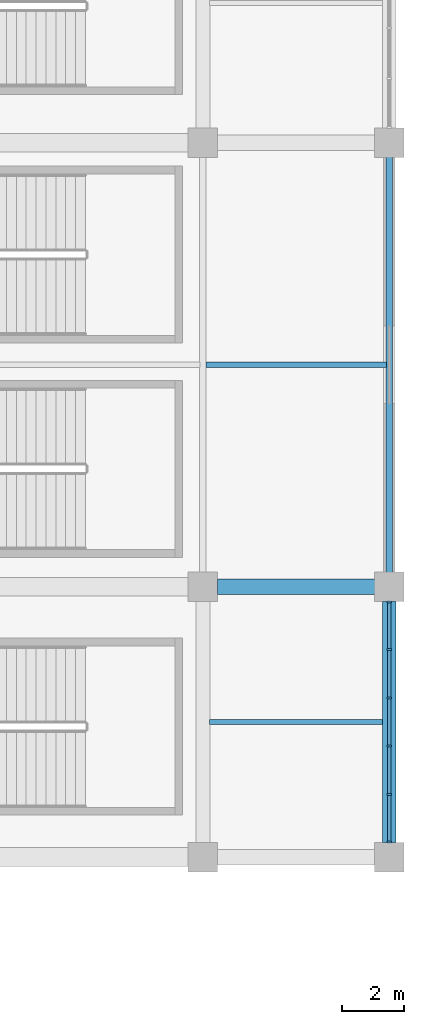
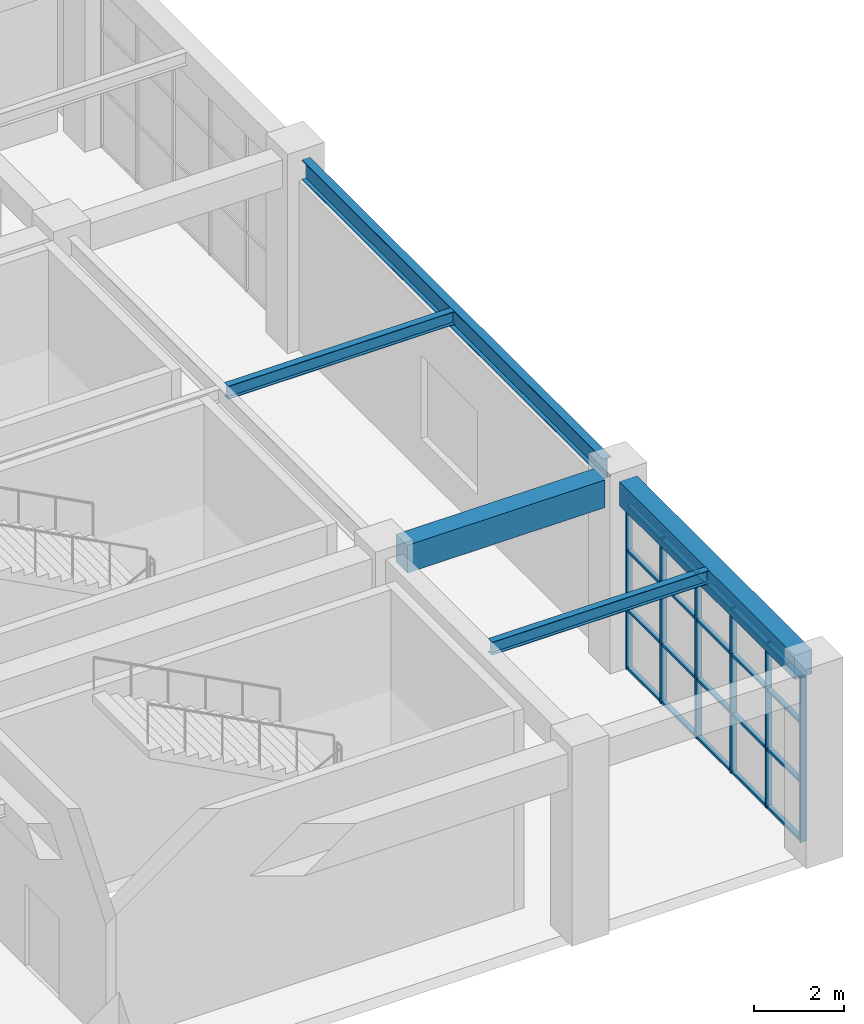
# One storey, part 47 of 120: 26 members, 5 beams, 1 element without a shape of its own.
"""IFC4 building model written with IfcOpenShell, lengths in metres."""

import ifcopenshell
import ifcopenshell.guid

model = None  # the IFC model being written
_history = None  # IfcOwnerHistory: only IFC2X3 demands one
_inside = {}  # id of a spatial element -> (the spatial element, [elements in it])
_under = {}  # id of a project, library or spatial element -> (it, [spatial elements below it])
_declared = {}  # id of a project -> (the project, [libraries it declares])
_typed = {}  # id of a type object -> (the type object, [elements of that type])
_made_of = {}  # id of a material, layer set ... -> (it, [elements and type objects made of it])


def new_model(schema):
    """Start an empty IFC model of exactly this schema.

    Asked for "IFC4X3", IfcOpenShell would pick the latest addendum, in which some entities
    have other attributes; the version numbers below select the first issue.
    IFC2X3 requires an IfcOwnerHistory on every rooted entity: one is made here for all.
    """
    global model, _history
    if schema == "IFC4X3":
        model = ifcopenshell.file(schema_version=(4, 3, 0, 0))
    else:
        model = ifcopenshell.file(schema=schema)
    _inside.clear()
    _under.clear()
    _declared.clear()
    _typed.clear()
    _made_of.clear()
    _history = None
    if model.schema == "IFC2X3":
        org = make("IfcOrganization", Name="unknown")
        user = make(
            "IfcPersonAndOrganization",
            ThePerson=make("IfcPerson", FamilyName="unknown"),
            TheOrganization=org,
        )
        app = make(
            "IfcApplication",
            ApplicationDeveloper=org,
            Version="unknown",
            ApplicationFullName="unknown",
            ApplicationIdentifier="unknown",
        )
        _history = make(
            "IfcOwnerHistory",
            OwningUser=user,
            OwningApplication=app,
            ChangeAction="ADDED",
            CreationDate=0,
        )
    return model


def make(cls, **values):
    """One entity of the class cls with the attributes given. An attribute that is None is left unset."""
    return model.create_entity(
        cls, **{name: value for name, value in values.items() if value is not None}
    )


def rooted(cls, **values):
    """An entity with a GlobalId (a new one), such as an element, a storey or a relation."""
    return make(cls, GlobalId=ifcopenshell.guid.new(), OwnerHistory=_history, **values)


def si_unit(unit_type, name, prefix=None):
    """IfcSIUnit, for example si_unit("LENGTHUNIT", "METRE", prefix="MILLI")."""
    return make("IfcSIUnit", UnitType=unit_type, Prefix=prefix, Name=name)


def assignment(units):
    """IfcUnitAssignment: the units of a project."""
    return None if units is None else make("IfcUnitAssignment", Units=units)


def point(xyz):
    """IfcCartesianPoint."""
    return None if xyz is None else make("IfcCartesianPoint", Coordinates=xyz)


def direction(xyz):
    """IfcDirection."""
    return None if xyz is None else make("IfcDirection", DirectionRatios=xyz)


def frame(location, z_axis=None, x_axis=None):
    """IfcAxis2Placement3D, a coordinate frame: its origin and axes. An axis left out is left unset."""
    return make(
        "IfcAxis2Placement3D",
        Location=point(location),
        Axis=direction(z_axis),
        RefDirection=direction(x_axis),
    )


def frame_2d(location, x_axis=None):
    """IfcAxis2Placement2D, a coordinate frame in the plane: its origin and x axis."""
    return make(
        "IfcAxis2Placement2D", Location=point(location), RefDirection=direction(x_axis)
    )


def origin():
    """The frame at (0, 0, 0) with its axes left unset."""
    return frame((0.0, 0.0, 0.0))


def origin_2d():
    """The frame at (0, 0) in the plane with its x axis left unset."""
    return frame_2d((0.0, 0.0))


def place(relative_to, where):
    """IfcLocalPlacement: puts the frame where relative to a parent placement (None: the world)."""
    return make(
        "IfcLocalPlacement", PlacementRelTo=relative_to, RelativePlacement=where
    )


def context(
    kind, dimensions, precision=None, world=None, true_north=None, identifier=None
):
    """IfcGeometricRepresentationContext, for example the 3D "Model" context."""
    return make(
        "IfcGeometricRepresentationContext",
        ContextIdentifier=identifier,
        ContextType=kind,
        CoordinateSpaceDimension=dimensions,
        Precision=precision,
        WorldCoordinateSystem=world,
        TrueNorth=true_north,
    )


def subcontext(parent, identifier, kind, view, scale=None):
    """IfcGeometricRepresentationSubContext, for example "Body" below "Model"."""
    return make(
        "IfcGeometricRepresentationSubContext",
        ContextIdentifier=identifier,
        ContextType=kind,
        ParentContext=parent,
        TargetScale=scale,
        TargetView=view,
    )


def project(units=None, contexts=None):
    """IfcProject with its units and contexts."""
    return rooted(
        "IfcProject",
        Name="project",
        RepresentationContexts=contexts,
        UnitsInContext=assignment(units),
    )


def spatial(cls, under=None, at=None, **own):
    """A site, building, storey or space (cls), placed at a placement, below another one or the project."""
    s = rooted(cls, ObjectPlacement=at, **own)
    if under is not None:
        _under.setdefault(under.id(), (under, []))[1].append(s)
    return s


def profile(cls, at=None, kind="AREA", **sizes):
    """A parametric profile (cls). Its sizes go by their IFC names, for example OverallWidth=200.0."""
    return make(cls, ProfileType=kind, Position=at, **sizes)


def rectangle(**sizes):
    """IfcRectangleProfileDef."""
    return profile("IfcRectangleProfileDef", **sizes)


def i_section(**sizes):
    """IfcIShapeProfileDef."""
    return profile("IfcIShapeProfileDef", **sizes)


def extrude(swept, where, along, depth):
    """IfcExtrudedAreaSolid: the profile swept, set in the frame where, extruded along a direction by depth."""
    return make(
        "IfcExtrudedAreaSolid",
        SweptArea=swept,
        Position=where,
        ExtrudedDirection=direction(along),
        Depth=depth,
    )


def shape(context_of_items, identifier, shape_type, items):
    """IfcShapeRepresentation: the items that make up one representation, for example the "Body"."""
    return make(
        "IfcShapeRepresentation",
        ContextOfItems=context_of_items,
        RepresentationIdentifier=identifier,
        RepresentationType=shape_type,
        Items=items,
    )


def material(Name=None, Category=None):
    """IfcMaterial."""
    return make("IfcMaterial", Name=Name, Category=Category)


def material_profile(
    of_material, cross_section, Name=None, Category=None, Priority=None
):
    """IfcMaterialProfile: a cross section and its material."""
    return make(
        "IfcMaterialProfile",
        Name=Name,
        Material=of_material,
        Profile=cross_section,
        Priority=Priority,
        Category=Category,
    )


def profile_set(profiles, Name=None, composite=None):
    """IfcMaterialProfileSet."""
    return make(
        "IfcMaterialProfileSet",
        Name=Name,
        MaterialProfiles=profiles,
        CompositeProfile=composite,
    )


def made_of(thing, what):
    """Note that an element or type object is made of a material, layer set ...; save() writes the relation."""
    if what is not None:
        _made_of.setdefault(what.id(), (what, []))[1].append(thing)
    return thing


def type_object(cls, material=None, **own):
    """A type object (cls), such as IfcWallType, which elements share."""
    return made_of(rooted(cls, **own), material)


def element(
    cls,
    number,
    at=None,
    inside=None,
    cuts=None,
    type_object=None,
    material=None,
    context=None,
    identifier="Body",
    shape_type=None,
    held_by="IfcProductDefinitionShape",
    body=None,
    shapes=None,
    **own,
):
    """One element of the class cls, such as IfcWall. Its Tag is "e" and its number.

    at: its placement. inside: the storey or other place that contains it. cuts: it is an
    opening in that element (IfcRelVoidsElement). A single representation is given by context,
    identifier, shape_type and body (its items); several are given by shapes. held_by: the class
    of the entity that holds the representations. save() writes the other relations.
    """
    e = rooted(cls, Tag="e%d" % number, ObjectPlacement=at, **own)
    if body is not None:
        shapes = [shape(context, identifier, shape_type, body)]
    if shapes is not None:
        e.Representation = make(held_by, Representations=shapes)
    if inside is not None:
        _inside.setdefault(inside.id(), (inside, []))[1].append(e)
    if cuts is not None:
        rooted(
            "IfcRelVoidsElement", RelatingBuildingElement=cuts, RelatedOpeningElement=e
        )
    if type_object is not None:
        _typed.setdefault(type_object.id(), (type_object, []))[1].append(e)
    return made_of(e, material)


def aggregate(whole, parts):
    """IfcRelAggregates: a whole, such as a stair, and the parts it consists of."""
    return rooted("IfcRelAggregates", RelatingObject=whole, RelatedObjects=parts)


def save(model, path):
    """Write the relations noted so far, then the file.

    IfcRelAggregates (storeys below a building ...), IfcRelContainedInSpatialStructure (elements
    in a storey), IfcRelDefinesByType, IfcRelAssociatesMaterial and IfcRelDeclares: one each for
    every whole, place, type object, material and project.
    """
    for whole, parts in _under.values():
        aggregate(whole, parts)
    for where, things in _inside.values():
        rooted(
            "IfcRelContainedInSpatialStructure",
            RelatedElements=things,
            RelatingStructure=where,
        )
    for kind, things in _typed.values():
        rooted("IfcRelDefinesByType", RelatedObjects=things, RelatingType=kind)
    for what, things in _made_of.values():
        rooted("IfcRelAssociatesMaterial", RelatedObjects=things, RelatingMaterial=what)
    for by, libraries in _declared.values():
        rooted("IfcRelDeclares", RelatingContext=by, RelatedDefinitions=libraries)
    model.write(path)


model = new_model("IFC4")

# Units and contexts
model_context = context("Model", 3, precision=1e-05, world=origin(), true_north=direction((0.0, 1.0)))
body_context = subcontext(model_context, "Body", "Model", "MODEL_VIEW")
ifc_project = project(units=[si_unit("LENGTHUNIT", "METRE"), si_unit("AREAUNIT", "SQUARE_METRE"), si_unit("VOLUMEUNIT", "CUBIC_METRE"), si_unit("PLANEANGLEUNIT", "RADIAN"), si_unit("MASSUNIT", "GRAM", prefix="KILO")], contexts=[model_context])

# Site, building, storey
site_placement = place(None, origin())
site = spatial("IfcSite", under=ifc_project, at=site_placement, CompositionType="ELEMENT")
building_placement = place(site_placement, origin())
building = spatial("IfcBuilding", under=site, at=building_placement, Name="Cuetzalor Civic Arena", CompositionType="ELEMENT")
storey_placement = place(building_placement, frame((0.0, 0.0, 6.0)))
storey = spatial("IfcBuildingStorey", under=building, at=storey_placement, Name="L01", CompositionType="ELEMENT", Elevation=6.0)

# Beams
ifc_material_1 = material(Name="Concrete C40/50", Category="concrete")
ifc_material_profile_1 = material_profile(ifc_material_1, rectangle(XDim=0.5, YDim=0.75, at=origin_2d()), Name="RC 500x750")
ifc_profile_set_1 = profile_set([ifc_material_profile_1], Name="Concrete C40/50")
beam_type_1 = type_object("IfcBeamType", Name="ConcreteFrameBeam_500x750", PredefinedType="BEAM", material=ifc_profile_set_1)
beam_1_placement = place(storey_placement, frame((76.465087890625, -48.300048828125, 4.7451171875), z_axis=(1.0, 0.0, 0.0), x_axis=(0.0, 1.0, 0.0)))
element("IfcBeam", 1, at=beam_1_placement, inside=storey, type_object=beam_type_1, Name="Frame Girder V4E-L01-X0430", PredefinedType="BEAM", context=body_context, shape_type="SweptSolid", body=[
    extrude(rectangle(XDim=0.5, YDim=0.75, at=origin_2d()), origin(), (0.0, 0.0, 1.0), 5.06982421875),
])
ifc_material_2 = material(Name="Concrete C40/50", Category="concrete")
ifc_material_profile_2 = material_profile(ifc_material_2, rectangle(XDim=0.449951171875, YDim=0.64990234375, at=origin_2d()), Name="RC 450x650")
ifc_profile_set_2 = profile_set([ifc_material_profile_2], Name="Concrete C40/50")
beam_type_2 = type_object("IfcBeamType", Name="ConcreteTieBeam_450x650", PredefinedType="BEAM", material=ifc_profile_set_2)
beam_2_placement = place(storey_placement, frame((82.0, -56.534912109375, 4.794921875), z_axis=(0.0, 1.0, 0.0), x_axis=(-1.0, 0.0, 0.0)))
element("IfcBeam", 2, at=beam_2_placement, inside=storey, type_object=beam_type_2, Name="Frame Girder V4E-L01-Y0491", PredefinedType="BEAM", context=body_context, shape_type="SweptSolid", body=[
    extrude(rectangle(XDim=0.449951171875, YDim=0.64990234375, at=origin_2d()), origin(), (0.0, 0.0, 1.0), 7.77001953125),
])

# Curtain wall, members
ifc_material_3 = material(Name="Anodised dark bronze aluminium and low-E solar glass", Category="aluminium")
curtain_wall_type = type_object("IfcCurtainWallType", Name="UnitisedCW_7800x4450", PredefinedType="USERDEFINED", material=ifc_material_3)
curtain_wall_placement = place(storey_placement, origin())
curtain_wall = element("IfcCurtainWall", 3, at=curtain_wall_placement, inside=storey, type_object=curtain_wall_type, Name="V4E Suite Viewing Curtain Wall L01-135", ObjectType="UNITISED CURTAIN WALL", PredefinedType="USERDEFINED")
ifc_material_4 = material(Name="Anodised dark bronze aluminium", Category="aluminium")
ifc_material_profile_3 = material_profile(ifc_material_4, rectangle(XDim=0.06494140625, YDim=0.14990234375, at=origin_2d()), Name="ALU MULLION 65x150")
ifc_profile_set_3 = profile_set([ifc_material_profile_3], Name="Anodised dark bronze aluminium")
member_type_1 = type_object("IfcMemberType", Name="CurtainWallMullion_60x150", PredefinedType="MULLION", material=ifc_profile_set_3)
member_1_placement = place(storey_placement, frame((82.0, -48.78955078125, 0.0), z_axis=(0.0, 0.0, 1.0), x_axis=(0.0, -1.0, 0.0)))
member_1 = element("IfcMember", 4, at=member_1_placement, type_object=member_type_1, Name="CW-36 mullion 1", PredefinedType="MULLION", context=body_context, shape_type="SweptSolid", body=[
    extrude(rectangle(XDim=0.06494140625, YDim=0.14990234375, at=origin_2d()), origin(), (0.0, 0.0, 1.0), 4.4599609375),
])
member_2_placement = place(storey_placement, frame((82.0, -50.314208984375, 0.0), z_axis=(0.0, 0.0, 1.0), x_axis=(0.0, -1.0, 0.0)))
member_2 = element("IfcMember", 5, at=member_2_placement, type_object=member_type_1, Name="CW-36 mullion 2", PredefinedType="MULLION", context=body_context, shape_type="SweptSolid", body=[
    extrude(rectangle(XDim=0.06494140625, YDim=0.14990234375, at=origin_2d()), origin(), (0.0, 0.0, 1.0), 4.4599609375),
])
member_3_placement = place(storey_placement, frame((82.0, -51.871337890625, 0.0), z_axis=(0.0, 0.0, 1.0), x_axis=(0.0, -1.0, 0.0)))
member_3 = element("IfcMember", 6, at=member_3_placement, type_object=member_type_1, Name="CW-36 mullion 3", PredefinedType="MULLION", context=body_context, shape_type="SweptSolid", body=[
    extrude(rectangle(XDim=0.06494140625, YDim=0.14990234375, at=origin_2d()), origin(), (0.0, 0.0, 1.0), 4.4599609375),
])
member_4_placement = place(storey_placement, frame((82.0, -53.4287109375, 0.0), z_axis=(0.0, 0.0, 1.0), x_axis=(0.0, -1.0, 0.0)))
member_4 = element("IfcMember", 7, at=member_4_placement, type_object=member_type_1, Name="CW-36 mullion 4", PredefinedType="MULLION", context=body_context, shape_type="SweptSolid", body=[
    extrude(rectangle(XDim=0.06494140625, YDim=0.14990234375, at=origin_2d()), origin(), (0.0, 0.0, 1.0), 4.4599609375),
])
member_5_placement = place(storey_placement, frame((82.0, -54.98583984375, 0.0), z_axis=(0.0, 0.0, 1.0), x_axis=(0.0, -1.0, 0.0)))
member_5 = element("IfcMember", 8, at=member_5_placement, type_object=member_type_1, Name="CW-36 mullion 5", PredefinedType="MULLION", context=body_context, shape_type="SweptSolid", body=[
    extrude(rectangle(XDim=0.06494140625, YDim=0.14990234375, at=origin_2d()), origin(), (0.0, 0.0, 1.0), 4.4599609375),
])
member_6_placement = place(storey_placement, frame((82.0, -56.510498046875, 0.0), z_axis=(0.0, 0.0, 1.0), x_axis=(0.0, -1.0, 0.0)))
member_6 = element("IfcMember", 9, at=member_6_placement, type_object=member_type_1, Name="CW-36 mullion 6", PredefinedType="MULLION", context=body_context, shape_type="SweptSolid", body=[
    extrude(rectangle(XDim=0.06494140625, YDim=0.14990234375, at=origin_2d()), origin(), (0.0, 0.0, 1.0), 4.4599609375),
])
ifc_material_5 = material(Name="Anodised dark bronze aluminium", Category="aluminium")
ifc_material_profile_4 = material_profile(ifc_material_5, rectangle(XDim=0.1201171875, YDim=0.06494140625, at=origin_2d()), Name="ALU TRANSOM 65x120")
ifc_profile_set_4 = profile_set([ifc_material_profile_4], Name="Anodised dark bronze aluminium")
member_type_2 = type_object("IfcMemberType", Name="CurtainWallTransom_60x120", PredefinedType="USERDEFINED", material=ifc_profile_set_4)
member_7_placement = place(storey_placement, frame((82.0, -48.822021484375, 0.032470703125), z_axis=(0.0, -1.0, 0.0), x_axis=(1.0, 0.0, 0.0)))
member_7 = element("IfcMember", 10, at=member_7_placement, type_object=member_type_2, Name="CW-36 transom 1.1", ObjectType="TRANSOM", PredefinedType="USERDEFINED", context=body_context, shape_type="SweptSolid", body=[
    extrude(rectangle(XDim=0.1201171875, YDim=0.06494140625, at=origin_2d()), origin(), (0.0, 0.0, 1.0), 1.459716796875),
])
member_8_placement = place(storey_placement, frame((82.0, -48.822021484375, 1.60595703125), z_axis=(0.0, -1.0, 0.0), x_axis=(1.0, 0.0, 0.0)))
member_8 = element("IfcMember", 11, at=member_8_placement, type_object=member_type_2, Name="CW-36 transom 1.2", ObjectType="TRANSOM", PredefinedType="USERDEFINED", context=body_context, shape_type="SweptSolid", body=[
    extrude(rectangle(XDim=0.1201171875, YDim=0.06494140625, at=origin_2d()), origin(), (0.0, 0.0, 1.0), 1.459716796875),
])
member_9_placement = place(storey_placement, frame((82.0, -48.822021484375, 3.2109375), z_axis=(0.0, -1.0, 0.0), x_axis=(1.0, 0.0, 0.0)))
member_9 = element("IfcMember", 12, at=member_9_placement, type_object=member_type_2, Name="CW-36 transom 1.3", ObjectType="TRANSOM", PredefinedType="USERDEFINED", context=body_context, shape_type="SweptSolid", body=[
    extrude(rectangle(XDim=0.1201171875, YDim=0.06494140625, at=origin_2d()), origin(), (0.0, 0.0, 1.0), 1.459716796875),
])
member_10_placement = place(storey_placement, frame((82.0, -48.822021484375, 4.427490234375), z_axis=(0.0, -1.0, 0.0), x_axis=(1.0, 0.0, 0.0)))
member_10 = element("IfcMember", 13, at=member_10_placement, type_object=member_type_2, Name="CW-36 transom 1.4", ObjectType="TRANSOM", PredefinedType="USERDEFINED", context=body_context, shape_type="SweptSolid", body=[
    extrude(rectangle(XDim=0.1201171875, YDim=0.06494140625, at=origin_2d()), origin(), (0.0, 0.0, 1.0), 1.459716796875),
])
member_11_placement = place(storey_placement, frame((82.0, -50.3466796875, 0.032470703125), z_axis=(0.0, -1.0, 0.0), x_axis=(1.0, 0.0, 0.0)))
member_11 = element("IfcMember", 14, at=member_11_placement, type_object=member_type_2, Name="CW-36 transom 2.1", ObjectType="TRANSOM", PredefinedType="USERDEFINED", context=body_context, shape_type="SweptSolid", body=[
    extrude(rectangle(XDim=0.1201171875, YDim=0.06494140625, at=origin_2d()), origin(), (0.0, 0.0, 1.0), 1.4921875),
])
member_12_placement = place(storey_placement, frame((82.0, -50.3466796875, 1.60595703125), z_axis=(0.0, -1.0, 0.0), x_axis=(1.0, 0.0, 0.0)))
member_12 = element("IfcMember", 15, at=member_12_placement, type_object=member_type_2, Name="CW-36 transom 2.2", ObjectType="TRANSOM", PredefinedType="USERDEFINED", context=body_context, shape_type="SweptSolid", body=[
    extrude(rectangle(XDim=0.1201171875, YDim=0.06494140625, at=origin_2d()), origin(), (0.0, 0.0, 1.0), 1.4921875),
])
member_13_placement = place(storey_placement, frame((82.0, -50.3466796875, 3.2109375), z_axis=(0.0, -1.0, 0.0), x_axis=(1.0, 0.0, 0.0)))
member_13 = element("IfcMember", 16, at=member_13_placement, type_object=member_type_2, Name="CW-36 transom 2.3", ObjectType="TRANSOM", PredefinedType="USERDEFINED", context=body_context, shape_type="SweptSolid", body=[
    extrude(rectangle(XDim=0.1201171875, YDim=0.06494140625, at=origin_2d()), origin(), (0.0, 0.0, 1.0), 1.4921875),
])
member_14_placement = place(storey_placement, frame((82.0, -50.3466796875, 4.427490234375), z_axis=(0.0, -1.0, 0.0), x_axis=(1.0, 0.0, 0.0)))
member_14 = element("IfcMember", 17, at=member_14_placement, type_object=member_type_2, Name="CW-36 transom 2.4", ObjectType="TRANSOM", PredefinedType="USERDEFINED", context=body_context, shape_type="SweptSolid", body=[
    extrude(rectangle(XDim=0.1201171875, YDim=0.06494140625, at=origin_2d()), origin(), (0.0, 0.0, 1.0), 1.4921875),
])
member_15_placement = place(storey_placement, frame((82.0, -51.90380859375, 0.032470703125), z_axis=(0.0, -1.0, 0.0), x_axis=(1.0, 0.0, 0.0)))
member_15 = element("IfcMember", 18, at=member_15_placement, type_object=member_type_2, Name="CW-36 transom 3.1", ObjectType="TRANSOM", PredefinedType="USERDEFINED", context=body_context, shape_type="SweptSolid", body=[
    extrude(rectangle(XDim=0.1201171875, YDim=0.06494140625, at=origin_2d()), origin(), (0.0, 0.0, 1.0), 1.4921875),
])
member_16_placement = place(storey_placement, frame((82.0, -51.90380859375, 1.60595703125), z_axis=(0.0, -1.0, 0.0), x_axis=(1.0, 0.0, 0.0)))
member_16 = element("IfcMember", 19, at=member_16_placement, type_object=member_type_2, Name="CW-36 transom 3.2", ObjectType="TRANSOM", PredefinedType="USERDEFINED", context=body_context, shape_type="SweptSolid", body=[
    extrude(rectangle(XDim=0.1201171875, YDim=0.06494140625, at=origin_2d()), origin(), (0.0, 0.0, 1.0), 1.4921875),
])
member_17_placement = place(storey_placement, frame((82.0, -51.90380859375, 3.2109375), z_axis=(0.0, -1.0, 0.0), x_axis=(1.0, 0.0, 0.0)))
member_17 = element("IfcMember", 20, at=member_17_placement, type_object=member_type_2, Name="CW-36 transom 3.3", ObjectType="TRANSOM", PredefinedType="USERDEFINED", context=body_context, shape_type="SweptSolid", body=[
    extrude(rectangle(XDim=0.1201171875, YDim=0.06494140625, at=origin_2d()), origin(), (0.0, 0.0, 1.0), 1.4921875),
])
member_18_placement = place(storey_placement, frame((82.0, -51.90380859375, 4.427490234375), z_axis=(0.0, -1.0, 0.0), x_axis=(1.0, 0.0, 0.0)))
member_18 = element("IfcMember", 21, at=member_18_placement, type_object=member_type_2, Name="CW-36 transom 3.4", ObjectType="TRANSOM", PredefinedType="USERDEFINED", context=body_context, shape_type="SweptSolid", body=[
    extrude(rectangle(XDim=0.1201171875, YDim=0.06494140625, at=origin_2d()), origin(), (0.0, 0.0, 1.0), 1.4921875),
])
member_19_placement = place(storey_placement, frame((82.0, -53.461181640625, 0.032470703125), z_axis=(0.0, -1.0, 0.0), x_axis=(1.0, 0.0, 0.0)))
member_19 = element("IfcMember", 22, at=member_19_placement, type_object=member_type_2, Name="CW-36 transom 4.1", ObjectType="TRANSOM", PredefinedType="USERDEFINED", context=body_context, shape_type="SweptSolid", body=[
    extrude(rectangle(XDim=0.1201171875, YDim=0.06494140625, at=origin_2d()), origin(), (0.0, 0.0, 1.0), 1.4921875),
])
member_20_placement = place(storey_placement, frame((82.0, -53.461181640625, 1.60595703125), z_axis=(0.0, -1.0, 0.0), x_axis=(1.0, 0.0, 0.0)))
member_20 = element("IfcMember", 23, at=member_20_placement, type_object=member_type_2, Name="CW-36 transom 4.2", ObjectType="TRANSOM", PredefinedType="USERDEFINED", context=body_context, shape_type="SweptSolid", body=[
    extrude(rectangle(XDim=0.1201171875, YDim=0.06494140625, at=origin_2d()), origin(), (0.0, 0.0, 1.0), 1.4921875),
])
member_21_placement = place(storey_placement, frame((82.0, -53.461181640625, 3.2109375), z_axis=(0.0, -1.0, 0.0), x_axis=(1.0, 0.0, 0.0)))
member_21 = element("IfcMember", 24, at=member_21_placement, type_object=member_type_2, Name="CW-36 transom 4.3", ObjectType="TRANSOM", PredefinedType="USERDEFINED", context=body_context, shape_type="SweptSolid", body=[
    extrude(rectangle(XDim=0.1201171875, YDim=0.06494140625, at=origin_2d()), origin(), (0.0, 0.0, 1.0), 1.4921875),
])
member_22_placement = place(storey_placement, frame((82.0, -53.461181640625, 4.427490234375), z_axis=(0.0, -1.0, 0.0), x_axis=(1.0, 0.0, 0.0)))
member_22 = element("IfcMember", 25, at=member_22_placement, type_object=member_type_2, Name="CW-36 transom 4.4", ObjectType="TRANSOM", PredefinedType="USERDEFINED", context=body_context, shape_type="SweptSolid", body=[
    extrude(rectangle(XDim=0.1201171875, YDim=0.06494140625, at=origin_2d()), origin(), (0.0, 0.0, 1.0), 1.4921875),
])
member_23_placement = place(storey_placement, frame((82.0, -55.018310546875, 0.032470703125), z_axis=(0.0, -1.0, 0.0), x_axis=(1.0, 0.0, 0.0)))
member_23 = element("IfcMember", 26, at=member_23_placement, type_object=member_type_2, Name="CW-36 transom 5.1", ObjectType="TRANSOM", PredefinedType="USERDEFINED", context=body_context, shape_type="SweptSolid", body=[
    extrude(rectangle(XDim=0.1201171875, YDim=0.06494140625, at=origin_2d()), origin(), (0.0, 0.0, 1.0), 1.459716796875),
])
member_24_placement = place(storey_placement, frame((82.0, -55.018310546875, 1.60595703125), z_axis=(0.0, -1.0, 0.0), x_axis=(1.0, 0.0, 0.0)))
member_24 = element("IfcMember", 27, at=member_24_placement, type_object=member_type_2, Name="CW-36 transom 5.2", ObjectType="TRANSOM", PredefinedType="USERDEFINED", context=body_context, shape_type="SweptSolid", body=[
    extrude(rectangle(XDim=0.1201171875, YDim=0.06494140625, at=origin_2d()), origin(), (0.0, 0.0, 1.0), 1.459716796875),
])
member_25_placement = place(storey_placement, frame((82.0, -55.018310546875, 3.2109375), z_axis=(0.0, -1.0, 0.0), x_axis=(1.0, 0.0, 0.0)))
member_25 = element("IfcMember", 28, at=member_25_placement, type_object=member_type_2, Name="CW-36 transom 5.3", ObjectType="TRANSOM", PredefinedType="USERDEFINED", context=body_context, shape_type="SweptSolid", body=[
    extrude(rectangle(XDim=0.1201171875, YDim=0.06494140625, at=origin_2d()), origin(), (0.0, 0.0, 1.0), 1.459716796875),
])
member_26_placement = place(storey_placement, frame((82.0, -55.018310546875, 4.427490234375), z_axis=(0.0, -1.0, 0.0), x_axis=(1.0, 0.0, 0.0)))
member_26 = element("IfcMember", 29, at=member_26_placement, type_object=member_type_2, Name="CW-36 transom 5.4", ObjectType="TRANSOM", PredefinedType="USERDEFINED", context=body_context, shape_type="SweptSolid", body=[
    extrude(rectangle(XDim=0.1201171875, YDim=0.06494140625, at=origin_2d()), origin(), (0.0, 0.0, 1.0), 1.459716796875),
])
aggregate(curtain_wall, [member_1, member_2, member_3, member_4, member_5, member_6, member_7, member_8, member_9, member_10, member_11, member_12, member_13, member_14, member_15, member_16, member_17, member_18, member_19, member_20, member_21, member_22, member_23, member_24, member_25, member_26])

# Beams
ifc_material_6 = material(Name="Steel S355", Category="steel")
ifc_material_profile_5 = material_profile(ifc_material_6, i_section(OverallWidth=0.1708984375, OverallDepth=0.35498046875, WebThickness=0.007080078125, FlangeThickness=0.01171875, at=origin_2d()), Name="W360x51")
ifc_profile_set_5 = profile_set([ifc_material_profile_5], Name="Steel S355")
beam_type_3 = type_object("IfcBeamType", Name="SecondaryFloorJoist_W360", PredefinedType="JOIST", material=ifc_profile_set_5)
beam_3_placement = place(storey_placement, frame((76.217041015625, -52.64990234375, 4.9423828125), z_axis=(1.0, 0.0, 0.0), x_axis=(0.0, 1.0, 0.0)))
element("IfcBeam", 30, at=beam_3_placement, inside=storey, type_object=beam_type_3, Name="Secondary Floor Joist V4E-L01-0151", PredefinedType="JOIST", context=body_context, shape_type="SweptSolid", body=[
    extrude(i_section(OverallWidth=0.1708984375, OverallDepth=0.35498046875, WebThickness=0.007080078125, FlangeThickness=0.01171875, at=origin_2d()), origin(), (0.0, 0.0, 1.0), 5.56591796875),
])
beam_4_placement = place(storey_placement, frame((76.096435546875, -41.14990234375, 4.9423828125), z_axis=(1.0, 0.0, 0.0), x_axis=(0.0, 1.0, 0.0)))
element("IfcBeam", 31, at=beam_4_placement, inside=storey, type_object=beam_type_3, Name="Secondary Floor Joist V4E-L01-0152", PredefinedType="JOIST", context=body_context, shape_type="SweptSolid", body=[
    extrude(i_section(OverallWidth=0.1708984375, OverallDepth=0.35498046875, WebThickness=0.007080078125, FlangeThickness=0.01171875, at=origin_2d()), origin(), (0.0, 0.0, 1.0), 5.80712890625),
])
ifc_material_7 = material(Name="Steel S355", Category="steel")
ifc_material_profile_6 = material_profile(ifc_material_7, i_section(OverallWidth=0.208984375, OverallDepth=0.532958984375, WebThickness=0.01025390625, FlangeThickness=0.015625, at=origin_2d()), Name="W530x92")
ifc_profile_set_6 = profile_set([ifc_material_profile_6], Name="Steel S355")
beam_type_4 = type_object("IfcBeamType", Name="SteelCollarGirder_W530", PredefinedType="BEAM", material=ifc_profile_set_6)
beam_5_placement = place(storey_placement, frame((82.0, -47.8349609375, 4.853515625), z_axis=(0.0, 1.0, 0.0), x_axis=(-1.0, 0.0, 0.0)))
element("IfcBeam", 32, at=beam_5_placement, inside=storey, type_object=beam_type_4, Name="Frame Girder V4E-L01-Y0492", PredefinedType="BEAM", context=body_context, shape_type="SweptSolid", body=[
    extrude(i_section(OverallWidth=0.208984375, OverallDepth=0.532958984375, WebThickness=0.01025390625, FlangeThickness=0.015625, at=origin_2d()), origin(), (0.0, 0.0, 1.0), 13.369873046875),
])

save(model, "model.ifc")
